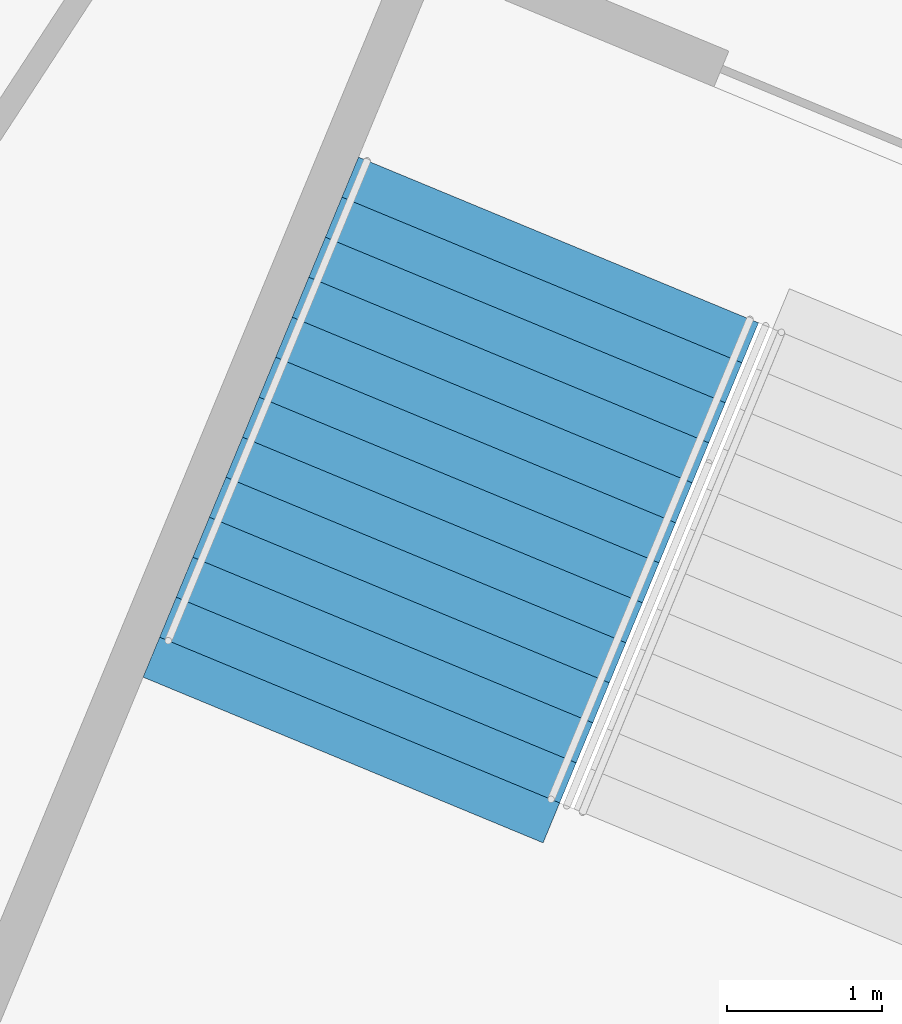
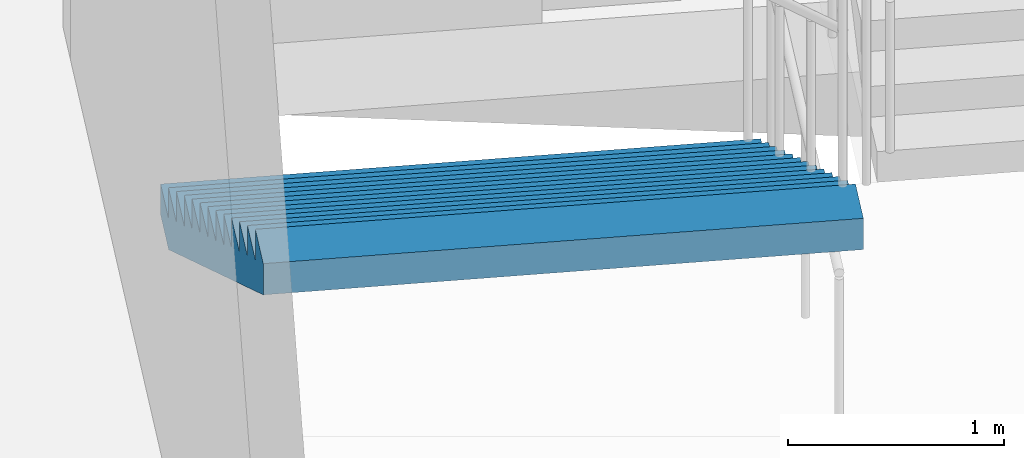
# One storey, part 106 of 199: 1 stair flight, 1 element without a shape of its own.
"""IFC4 building model written with IfcOpenShell, lengths in metres."""

from ifc_helpers import new_model, si_unit, direction, frame, origin, place, context, subcontext, project, spatial, faceted_brep, material, type_object, element, aggregate, save


model = new_model("IFC4")

# Units and contexts
model_context = context("Model", 3, precision=1e-05, world=origin(), true_north=direction((0.0, 1.0)))
body_context = subcontext(model_context, "Body", "Model", "MODEL_VIEW")
ifc_project = project(units=[si_unit("LENGTHUNIT", "METRE"), si_unit("AREAUNIT", "SQUARE_METRE"), si_unit("VOLUMEUNIT", "CUBIC_METRE"), si_unit("PLANEANGLEUNIT", "RADIAN"), si_unit("MASSUNIT", "GRAM", prefix="KILO")], contexts=[model_context])

# Site, building, storey
site_placement = place(None, origin())
site = spatial("IfcSite", under=ifc_project, at=site_placement, CompositionType="ELEMENT")
building_placement = place(site_placement, origin())
building = spatial("IfcBuilding", under=site, at=building_placement, Name="Ogive Plaza Stadium", CompositionType="ELEMENT")
storey_placement = place(building_placement, frame((0.0, 0.0, 4.5)))
storey = spatial("IfcBuildingStorey", under=building, at=storey_placement, Name="L01", CompositionType="ELEMENT", Elevation=4.5)

# Stair, stair flight
ifc_material_1 = material(Name="Concrete C40/50", Category="concrete")
stair_type = type_object("IfcStairType", Name="Exit stair", PredefinedType="STRAIGHT_RUN_STAIR", material=ifc_material_1)
stair_placement = place(storey_placement, origin())
stair = element("IfcStair", 1, at=stair_placement, inside=storey, type_object=stair_type, Name="Exit stair ST18A L01 to L02", PredefinedType="STRAIGHT_RUN_STAIR")
ifc_material_2 = material(Name="Concrete C40/50", Category="concrete")
stair_flight_type = type_object("IfcStairFlightType", Name="Exit stair flight", PredefinedType="STRAIGHT", material=ifc_material_2)
stair_flight_placement = place(storey_placement, frame((-54.294921875, -89.932861328125, 0.0), z_axis=(0.0, 0.0, 1.0), x_axis=(-0.382683432365, -0.923879532511, 0.0)))
stair_flight = element("IfcStairFlight", 2, at=stair_flight_placement, type_object=stair_flight_type, Name="ST18A flight 1", NumberOfRisers=13, NumberOfTreads=12, PredefinedType="STRAIGHT", RiserHeight=0.173076923, TreadLength=0.28, context=body_context, shape_type="Brep", body=[
    faceted_brep([(0.28515625, -1.39990234375, 0.0), (3.639892578125, -1.39990234375, 2.07373046875), (3.639892578125, -1.39990234375, 2.25), (3.360107421875, -1.39990234375, 2.25), (3.360107421875, -1.39990234375, 2.076904296875), (3.080078125, -1.39990234375, 2.076904296875), (3.080078125, -1.39990234375, 1.90380859375), (2.800048828125, -1.39990234375, 1.90380859375), (2.800048828125, -1.39990234375, 1.730712890625), (2.52001953125, -1.39990234375, 1.730712890625), (2.52001953125, -1.39990234375, 1.5576171875), (2.239990234375, -1.39990234375, 1.5576171875), (2.239990234375, -1.39990234375, 1.384521484375), (1.9599609375, -1.39990234375, 1.384521484375), (1.9599609375, -1.39990234375, 1.21142578125), (1.679931640625, -1.39990234375, 1.21142578125), (1.679931640625, -1.39990234375, 1.03857421875), (1.39990234375, -1.39990234375, 1.03857421875), (1.39990234375, -1.39990234375, 0.865478515625), (1.1201171875, -1.39990234375, 0.865478515625), (1.1201171875, -1.39990234375, 0.6923828125), (0.840087890625, -1.39990234375, 0.6923828125), (0.840087890625, -1.39990234375, 0.519287109375), (0.56005859375, -1.39990234375, 0.519287109375), (0.56005859375, -1.39990234375, 0.34619140625), (0.280029296875, -1.39990234375, 0.34619140625), (0.280029296875, -1.39990234375, 0.173095703125), (0.0, -1.39990234375, 0.173095703125), (0.0, -1.39990234375, 0.0), (0.0, 1.39990234375, 0.0), (0.0, 1.39990234375, 0.173095703125), (0.280029296875, 1.39990234375, 0.173095703125), (0.280029296875, 1.39990234375, 0.34619140625), (0.56005859375, 1.39990234375, 0.34619140625), (0.56005859375, 1.39990234375, 0.519287109375), (0.840087890625, 1.39990234375, 0.519287109375), (0.840087890625, 1.39990234375, 0.6923828125), (1.1201171875, 1.39990234375, 0.6923828125), (1.1201171875, 1.39990234375, 0.865478515625), (1.39990234375, 1.39990234375, 0.865478515625), (1.39990234375, 1.39990234375, 1.03857421875), (1.679931640625, 1.39990234375, 1.03857421875), (1.679931640625, 1.39990234375, 1.21142578125), (1.9599609375, 1.39990234375, 1.21142578125), (1.9599609375, 1.39990234375, 1.384521484375), (2.239990234375, 1.39990234375, 1.384521484375), (2.239990234375, 1.39990234375, 1.5576171875), (2.52001953125, 1.39990234375, 1.5576171875), (2.52001953125, 1.39990234375, 1.730712890625), (2.800048828125, 1.39990234375, 1.730712890625), (2.800048828125, 1.39990234375, 1.90380859375), (3.080078125, 1.39990234375, 1.90380859375), (3.080078125, 1.39990234375, 2.076904296875), (3.360107421875, 1.39990234375, 2.076904296875), (3.360107421875, 1.39990234375, 2.25), (3.639892578125, 1.39990234375, 2.25), (3.639892578125, 1.39990234375, 2.07373046875), (0.28515625, 1.39990234375, 0.0), (0.28515625, -1.0888671875, 0.0), (3.639892578125, -1.0888671875, 2.07373046875), (0.28515625, -0.77783203125, 0.0), (3.639892578125, -0.77783203125, 2.07373046875), (0.28515625, -0.466796875, 0.0), (3.639892578125, -0.466796875, 2.07373046875), (0.28515625, -0.155517578125, 0.0), (3.639892578125, -0.155517578125, 2.07373046875), (0.28515625, 0.155517578125, 0.0), (3.639892578125, 0.155517578125, 2.07373046875), (0.28515625, 0.466796875, 0.0), (3.639892578125, 0.466796875, 2.07373046875), (0.28515625, 0.77783203125, 0.0), (3.639892578125, 0.77783203125, 2.07373046875), (0.28515625, 1.0888671875, 0.0), (3.639892578125, 1.0888671875, 2.07373046875), (3.639892578125, -1.0888671875, 2.25), (3.639892578125, -0.77783203125, 2.25), (3.639892578125, -0.466796875, 2.25), (3.639892578125, -0.155517578125, 2.25), (3.639892578125, 0.155517578125, 2.25), (3.639892578125, 0.466796875, 2.25), (3.639892578125, 0.77783203125, 2.25), (3.639892578125, 1.0888671875, 2.25), (3.360107421875, -1.0888671875, 2.25), (3.360107421875, -0.77783203125, 2.25), (3.360107421875, -0.466796875, 2.25), (3.360107421875, -0.155517578125, 2.25), (3.360107421875, 0.155517578125, 2.25), (3.360107421875, 0.466796875, 2.25), (3.360107421875, 0.77783203125, 2.25), (3.360107421875, 1.0888671875, 2.25), (3.360107421875, -1.0888671875, 2.076904296875), (3.360107421875, -0.77783203125, 2.076904296875), (3.360107421875, -0.466796875, 2.076904296875), (3.360107421875, -0.155517578125, 2.076904296875), (3.360107421875, 0.155517578125, 2.076904296875), (3.360107421875, 0.466796875, 2.076904296875), (3.360107421875, 0.77783203125, 2.076904296875), (3.360107421875, 1.0888671875, 2.076904296875), (3.080078125, -1.0888671875, 2.076904296875), (3.080078125, -0.77783203125, 2.076904296875), (3.080078125, -0.466796875, 2.076904296875), (3.080078125, -0.155517578125, 2.076904296875), (3.080078125, 0.155517578125, 2.076904296875), (3.080078125, 0.466796875, 2.076904296875), (3.080078125, 0.77783203125, 2.076904296875), (3.080078125, 1.0888671875, 2.076904296875), (3.080078125, -1.0888671875, 1.90380859375), (3.080078125, -0.77783203125, 1.90380859375), (3.080078125, -0.466796875, 1.90380859375), (3.080078125, -0.155517578125, 1.90380859375), (3.080078125, 0.155517578125, 1.90380859375), (3.080078125, 0.466796875, 1.90380859375), (3.080078125, 0.77783203125, 1.90380859375), (3.080078125, 1.0888671875, 1.90380859375), (2.800048828125, -1.0888671875, 1.90380859375), (2.800048828125, -0.77783203125, 1.90380859375), (2.800048828125, -0.466796875, 1.90380859375), (2.800048828125, -0.155517578125, 1.90380859375), (2.800048828125, 0.155517578125, 1.90380859375), (2.800048828125, 0.466796875, 1.90380859375), (2.800048828125, 0.77783203125, 1.90380859375), (2.800048828125, 1.0888671875, 1.90380859375), (2.800048828125, -1.0888671875, 1.730712890625), (2.800048828125, -0.77783203125, 1.730712890625), (2.800048828125, -0.466796875, 1.730712890625), (2.800048828125, -0.155517578125, 1.730712890625), (2.800048828125, 0.155517578125, 1.730712890625), (2.800048828125, 0.466796875, 1.730712890625), (2.800048828125, 0.77783203125, 1.730712890625), (2.800048828125, 1.0888671875, 1.730712890625), (2.52001953125, -1.0888671875, 1.730712890625), (2.52001953125, -0.77783203125, 1.730712890625), (2.52001953125, -0.466796875, 1.730712890625), (2.52001953125, -0.155517578125, 1.730712890625), (2.52001953125, 0.155517578125, 1.730712890625), (2.52001953125, 0.466796875, 1.730712890625), (2.52001953125, 0.77783203125, 1.730712890625), (2.52001953125, 1.0888671875, 1.730712890625), (2.52001953125, -1.0888671875, 1.5576171875), (2.52001953125, -0.77783203125, 1.5576171875), (2.52001953125, -0.466796875, 1.5576171875), (2.52001953125, -0.155517578125, 1.5576171875), (2.52001953125, 0.155517578125, 1.5576171875), (2.52001953125, 0.466796875, 1.5576171875), (2.52001953125, 0.77783203125, 1.5576171875), (2.52001953125, 1.0888671875, 1.5576171875), (2.239990234375, -1.0888671875, 1.5576171875), (2.239990234375, -0.77783203125, 1.5576171875), (2.239990234375, -0.466796875, 1.5576171875), (2.239990234375, -0.155517578125, 1.5576171875), (2.239990234375, 0.155517578125, 1.5576171875), (2.239990234375, 0.466796875, 1.5576171875), (2.239990234375, 0.77783203125, 1.5576171875), (2.239990234375, 1.0888671875, 1.5576171875), (2.239990234375, -1.0888671875, 1.384521484375), (2.239990234375, -0.77783203125, 1.384521484375), (2.239990234375, -0.466796875, 1.384521484375), (2.239990234375, -0.155517578125, 1.384521484375), (2.239990234375, 0.155517578125, 1.384521484375), (2.239990234375, 0.466796875, 1.384521484375), (2.239990234375, 0.77783203125, 1.384521484375), (2.239990234375, 1.0888671875, 1.384521484375), (1.9599609375, -1.0888671875, 1.384521484375), (1.9599609375, -0.77783203125, 1.384521484375), (1.9599609375, -0.466796875, 1.384521484375), (1.9599609375, -0.155517578125, 1.384521484375), (1.9599609375, 0.155517578125, 1.384521484375), (1.9599609375, 0.466796875, 1.384521484375), (1.9599609375, 0.77783203125, 1.384521484375), (1.9599609375, 1.0888671875, 1.384521484375), (1.9599609375, -1.0888671875, 1.21142578125), (1.9599609375, -0.77783203125, 1.21142578125), (1.9599609375, -0.466796875, 1.21142578125), (1.9599609375, -0.155517578125, 1.21142578125), (1.9599609375, 0.155517578125, 1.21142578125), (1.9599609375, 0.466796875, 1.21142578125), (1.9599609375, 0.77783203125, 1.21142578125), (1.9599609375, 1.0888671875, 1.21142578125), (1.679931640625, -1.0888671875, 1.21142578125), (1.679931640625, -0.77783203125, 1.21142578125), (1.679931640625, -0.466796875, 1.21142578125), (1.679931640625, -0.155517578125, 1.21142578125), (1.679931640625, 0.155517578125, 1.21142578125), (1.679931640625, 0.466796875, 1.21142578125), (1.679931640625, 0.77783203125, 1.21142578125), (1.679931640625, 1.0888671875, 1.21142578125), (1.679931640625, -1.0888671875, 1.03857421875), (1.679931640625, -0.77783203125, 1.03857421875), (1.679931640625, -0.466796875, 1.03857421875), (1.679931640625, -0.155517578125, 1.03857421875), (1.679931640625, 0.155517578125, 1.03857421875), (1.679931640625, 0.466796875, 1.03857421875), (1.679931640625, 0.77783203125, 1.03857421875), (1.679931640625, 1.0888671875, 1.03857421875), (1.39990234375, -1.0888671875, 1.03857421875), (1.39990234375, -0.77783203125, 1.03857421875), (1.39990234375, -0.466796875, 1.03857421875), (1.39990234375, -0.155517578125, 1.03857421875), (1.39990234375, 0.155517578125, 1.03857421875), (1.39990234375, 0.466796875, 1.03857421875), (1.39990234375, 0.77783203125, 1.03857421875), (1.39990234375, 1.0888671875, 1.03857421875), (1.39990234375, -1.0888671875, 0.865478515625), (1.39990234375, -0.77783203125, 0.865478515625), (1.39990234375, -0.466796875, 0.865478515625), (1.39990234375, -0.155517578125, 0.865478515625), (1.39990234375, 0.155517578125, 0.865478515625), (1.39990234375, 0.466796875, 0.865478515625), (1.39990234375, 0.77783203125, 0.865478515625), (1.39990234375, 1.0888671875, 0.865478515625), (1.1201171875, -1.0888671875, 0.865478515625), (1.1201171875, -0.77783203125, 0.865478515625), (1.1201171875, -0.466796875, 0.865478515625), (1.1201171875, -0.155517578125, 0.865478515625), (1.1201171875, 0.155517578125, 0.865478515625), (1.1201171875, 0.466796875, 0.865478515625), (1.1201171875, 0.77783203125, 0.865478515625), (1.1201171875, 1.0888671875, 0.865478515625), (1.1201171875, -1.0888671875, 0.6923828125), (1.1201171875, -0.77783203125, 0.6923828125), (1.1201171875, -0.466796875, 0.6923828125), (1.1201171875, -0.155517578125, 0.6923828125), (1.1201171875, 0.155517578125, 0.6923828125), (1.1201171875, 0.466796875, 0.6923828125), (1.1201171875, 0.77783203125, 0.6923828125), (1.1201171875, 1.0888671875, 0.6923828125), (0.840087890625, -1.0888671875, 0.6923828125), (0.840087890625, -0.77783203125, 0.6923828125), (0.840087890625, -0.466796875, 0.6923828125), (0.840087890625, -0.155517578125, 0.6923828125), (0.840087890625, 0.155517578125, 0.6923828125), (0.840087890625, 0.466796875, 0.6923828125), (0.840087890625, 0.77783203125, 0.6923828125), (0.840087890625, 1.0888671875, 0.6923828125), (0.840087890625, -1.0888671875, 0.519287109375), (0.840087890625, -0.77783203125, 0.519287109375), (0.840087890625, -0.466796875, 0.519287109375), (0.840087890625, -0.155517578125, 0.519287109375), (0.840087890625, 0.155517578125, 0.519287109375), (0.840087890625, 0.466796875, 0.519287109375), (0.840087890625, 0.77783203125, 0.519287109375), (0.840087890625, 1.0888671875, 0.519287109375), (0.56005859375, -1.0888671875, 0.519287109375), (0.56005859375, -0.77783203125, 0.519287109375), (0.56005859375, -0.466796875, 0.519287109375), (0.56005859375, -0.155517578125, 0.519287109375), (0.56005859375, 0.155517578125, 0.519287109375), (0.56005859375, 0.466796875, 0.519287109375), (0.56005859375, 0.77783203125, 0.519287109375), (0.56005859375, 1.0888671875, 0.519287109375), (0.56005859375, -1.0888671875, 0.34619140625), (0.56005859375, -0.77783203125, 0.34619140625), (0.56005859375, -0.466796875, 0.34619140625), (0.56005859375, -0.155517578125, 0.34619140625), (0.56005859375, 0.155517578125, 0.34619140625), (0.56005859375, 0.466796875, 0.34619140625), (0.56005859375, 0.77783203125, 0.34619140625), (0.56005859375, 1.0888671875, 0.34619140625), (0.280029296875, -1.0888671875, 0.34619140625), (0.280029296875, -0.77783203125, 0.34619140625), (0.280029296875, -0.466796875, 0.34619140625), (0.280029296875, -0.155517578125, 0.34619140625), (0.280029296875, 0.155517578125, 0.34619140625), (0.280029296875, 0.466796875, 0.34619140625), (0.280029296875, 0.77783203125, 0.34619140625), (0.280029296875, 1.0888671875, 0.34619140625), (0.280029296875, -1.0888671875, 0.173095703125), (0.280029296875, -0.77783203125, 0.173095703125), (0.280029296875, -0.466796875, 0.173095703125), (0.280029296875, -0.155517578125, 0.173095703125), (0.280029296875, 0.155517578125, 0.173095703125), (0.280029296875, 0.466796875, 0.173095703125), (0.280029296875, 0.77783203125, 0.173095703125), (0.280029296875, 1.0888671875, 0.173095703125), (0.0, -1.0888671875, 0.173095703125), (0.0, -0.77783203125, 0.173095703125), (0.0, -0.466796875, 0.173095703125), (0.0, -0.155517578125, 0.173095703125), (0.0, 0.155517578125, 0.173095703125), (0.0, 0.466796875, 0.173095703125), (0.0, 0.77783203125, 0.173095703125), (0.0, 1.0888671875, 0.173095703125), (0.0, -1.0888671875, 0.0), (0.0, -0.77783203125, 0.0), (0.0, -0.466796875, 0.0), (0.0, -0.155517578125, 0.0), (0.0, 0.155517578125, 0.0), (0.0, 0.466796875, 0.0), (0.0, 0.77783203125, 0.0), (0.0, 1.0888671875, 0.0)], [[[0, 1, 2, 3, 4, 5, 6, 7, 8, 9, 10, 11, 12, 13, 14, 15, 16, 17, 18, 19, 20, 21, 22, 23, 24, 25, 26, 27, 28]], [[29, 30, 31, 32, 33, 34, 35, 36, 37, 38, 39, 40, 41, 42, 43, 44, 45, 46, 47, 48, 49, 50, 51, 52, 53, 54, 55, 56, 57]], [[0, 58, 59, 1]], [[58, 60, 61, 59]], [[60, 62, 63, 61]], [[62, 64, 65, 63]], [[64, 66, 67, 65]], [[66, 68, 69, 67]], [[68, 70, 71, 69]], [[70, 72, 73, 71]], [[72, 57, 56, 73]], [[1, 59, 74, 2]], [[59, 61, 75, 74]], [[61, 63, 76, 75]], [[63, 65, 77, 76]], [[65, 67, 78, 77]], [[67, 69, 79, 78]], [[69, 71, 80, 79]], [[71, 73, 81, 80]], [[73, 56, 55, 81]], [[2, 74, 82, 3]], [[74, 75, 83, 82]], [[75, 76, 84, 83]], [[76, 77, 85, 84]], [[77, 78, 86, 85]], [[78, 79, 87, 86]], [[79, 80, 88, 87]], [[80, 81, 89, 88]], [[81, 55, 54, 89]], [[3, 82, 90, 4]], [[82, 83, 91, 90]], [[83, 84, 92, 91]], [[84, 85, 93, 92]], [[85, 86, 94, 93]], [[86, 87, 95, 94]], [[87, 88, 96, 95]], [[88, 89, 97, 96]], [[89, 54, 53, 97]], [[4, 90, 98, 5]], [[90, 91, 99, 98]], [[91, 92, 100, 99]], [[92, 93, 101, 100]], [[93, 94, 102, 101]], [[94, 95, 103, 102]], [[95, 96, 104, 103]], [[96, 97, 105, 104]], [[97, 53, 52, 105]], [[5, 98, 106, 6]], [[98, 99, 107, 106]], [[99, 100, 108, 107]], [[100, 101, 109, 108]], [[101, 102, 110, 109]], [[102, 103, 111, 110]], [[103, 104, 112, 111]], [[104, 105, 113, 112]], [[105, 52, 51, 113]], [[6, 106, 114, 7]], [[106, 107, 115, 114]], [[107, 108, 116, 115]], [[108, 109, 117, 116]], [[109, 110, 118, 117]], [[110, 111, 119, 118]], [[111, 112, 120, 119]], [[112, 113, 121, 120]], [[113, 51, 50, 121]], [[7, 114, 122, 8]], [[114, 115, 123, 122]], [[115, 116, 124, 123]], [[116, 117, 125, 124]], [[117, 118, 126, 125]], [[118, 119, 127, 126]], [[119, 120, 128, 127]], [[120, 121, 129, 128]], [[121, 50, 49, 129]], [[8, 122, 130, 9]], [[122, 123, 131, 130]], [[123, 124, 132, 131]], [[124, 125, 133, 132]], [[125, 126, 134, 133]], [[126, 127, 135, 134]], [[127, 128, 136, 135]], [[128, 129, 137, 136]], [[129, 49, 48, 137]], [[9, 130, 138, 10]], [[130, 131, 139, 138]], [[131, 132, 140, 139]], [[132, 133, 141, 140]], [[133, 134, 142, 141]], [[134, 135, 143, 142]], [[135, 136, 144, 143]], [[136, 137, 145, 144]], [[137, 48, 47, 145]], [[10, 138, 146, 11]], [[138, 139, 147, 146]], [[139, 140, 148, 147]], [[140, 141, 149, 148]], [[141, 142, 150, 149]], [[142, 143, 151, 150]], [[143, 144, 152, 151]], [[144, 145, 153, 152]], [[145, 47, 46, 153]], [[11, 146, 154, 12]], [[146, 147, 155, 154]], [[147, 148, 156, 155]], [[148, 149, 157, 156]], [[149, 150, 158, 157]], [[150, 151, 159, 158]], [[151, 152, 160, 159]], [[152, 153, 161, 160]], [[153, 46, 45, 161]], [[12, 154, 162, 13]], [[154, 155, 163, 162]], [[155, 156, 164, 163]], [[156, 157, 165, 164]], [[157, 158, 166, 165]], [[158, 159, 167, 166]], [[159, 160, 168, 167]], [[160, 161, 169, 168]], [[161, 45, 44, 169]], [[13, 162, 170, 14]], [[162, 163, 171, 170]], [[163, 164, 172, 171]], [[164, 165, 173, 172]], [[165, 166, 174, 173]], [[166, 167, 175, 174]], [[167, 168, 176, 175]], [[168, 169, 177, 176]], [[169, 44, 43, 177]], [[14, 170, 178, 15]], [[170, 171, 179, 178]], [[171, 172, 180, 179]], [[172, 173, 181, 180]], [[173, 174, 182, 181]], [[174, 175, 183, 182]], [[175, 176, 184, 183]], [[176, 177, 185, 184]], [[177, 43, 42, 185]], [[15, 178, 186, 16]], [[178, 179, 187, 186]], [[179, 180, 188, 187]], [[180, 181, 189, 188]], [[181, 182, 190, 189]], [[182, 183, 191, 190]], [[183, 184, 192, 191]], [[184, 185, 193, 192]], [[185, 42, 41, 193]], [[16, 186, 194, 17]], [[186, 187, 195, 194]], [[187, 188, 196, 195]], [[188, 189, 197, 196]], [[189, 190, 198, 197]], [[190, 191, 199, 198]], [[191, 192, 200, 199]], [[192, 193, 201, 200]], [[193, 41, 40, 201]], [[17, 194, 202, 18]], [[194, 195, 203, 202]], [[195, 196, 204, 203]], [[196, 197, 205, 204]], [[197, 198, 206, 205]], [[198, 199, 207, 206]], [[199, 200, 208, 207]], [[200, 201, 209, 208]], [[201, 40, 39, 209]], [[18, 202, 210, 19]], [[202, 203, 211, 210]], [[203, 204, 212, 211]], [[204, 205, 213, 212]], [[205, 206, 214, 213]], [[206, 207, 215, 214]], [[207, 208, 216, 215]], [[208, 209, 217, 216]], [[209, 39, 38, 217]], [[19, 210, 218, 20]], [[210, 211, 219, 218]], [[211, 212, 220, 219]], [[212, 213, 221, 220]], [[213, 214, 222, 221]], [[214, 215, 223, 222]], [[215, 216, 224, 223]], [[216, 217, 225, 224]], [[217, 38, 37, 225]], [[20, 218, 226, 21]], [[218, 219, 227, 226]], [[219, 220, 228, 227]], [[220, 221, 229, 228]], [[221, 222, 230, 229]], [[222, 223, 231, 230]], [[223, 224, 232, 231]], [[224, 225, 233, 232]], [[225, 37, 36, 233]], [[21, 226, 234, 22]], [[226, 227, 235, 234]], [[227, 228, 236, 235]], [[228, 229, 237, 236]], [[229, 230, 238, 237]], [[230, 231, 239, 238]], [[231, 232, 240, 239]], [[232, 233, 241, 240]], [[233, 36, 35, 241]], [[22, 234, 242, 23]], [[234, 235, 243, 242]], [[235, 236, 244, 243]], [[236, 237, 245, 244]], [[237, 238, 246, 245]], [[238, 239, 247, 246]], [[239, 240, 248, 247]], [[240, 241, 249, 248]], [[241, 35, 34, 249]], [[23, 242, 250, 24]], [[242, 243, 251, 250]], [[243, 244, 252, 251]], [[244, 245, 253, 252]], [[245, 246, 254, 253]], [[246, 247, 255, 254]], [[247, 248, 256, 255]], [[248, 249, 257, 256]], [[249, 34, 33, 257]], [[24, 250, 258, 25]], [[250, 251, 259, 258]], [[251, 252, 260, 259]], [[252, 253, 261, 260]], [[253, 254, 262, 261]], [[254, 255, 263, 262]], [[255, 256, 264, 263]], [[256, 257, 265, 264]], [[257, 33, 32, 265]], [[25, 258, 266, 26]], [[258, 259, 267, 266]], [[259, 260, 268, 267]], [[260, 261, 269, 268]], [[261, 262, 270, 269]], [[262, 263, 271, 270]], [[263, 264, 272, 271]], [[264, 265, 273, 272]], [[265, 32, 31, 273]], [[26, 266, 274, 27]], [[266, 267, 275, 274]], [[267, 268, 276, 275]], [[268, 269, 277, 276]], [[269, 270, 278, 277]], [[270, 271, 279, 278]], [[271, 272, 280, 279]], [[272, 273, 281, 280]], [[273, 31, 30, 281]], [[27, 274, 282, 28]], [[274, 275, 283, 282]], [[275, 276, 284, 283]], [[276, 277, 285, 284]], [[277, 278, 286, 285]], [[278, 279, 287, 286]], [[279, 280, 288, 287]], [[280, 281, 289, 288]], [[281, 30, 29, 289]], [[28, 282, 58, 0]], [[282, 283, 60, 58]], [[283, 284, 62, 60]], [[284, 285, 64, 62]], [[285, 286, 66, 64]], [[286, 287, 68, 66]], [[287, 288, 70, 68]], [[288, 289, 72, 70]], [[289, 29, 57, 72]]]),
])
aggregate(stair, [stair_flight])

save(model, "model.ifc")
